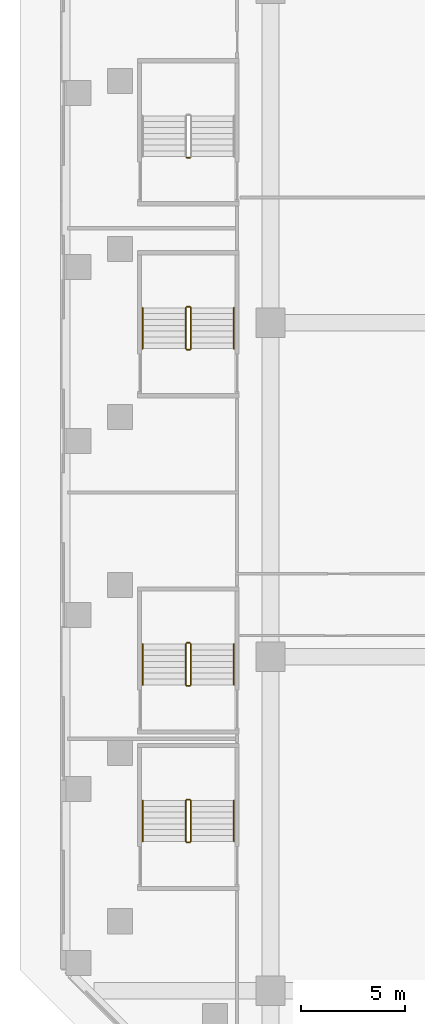
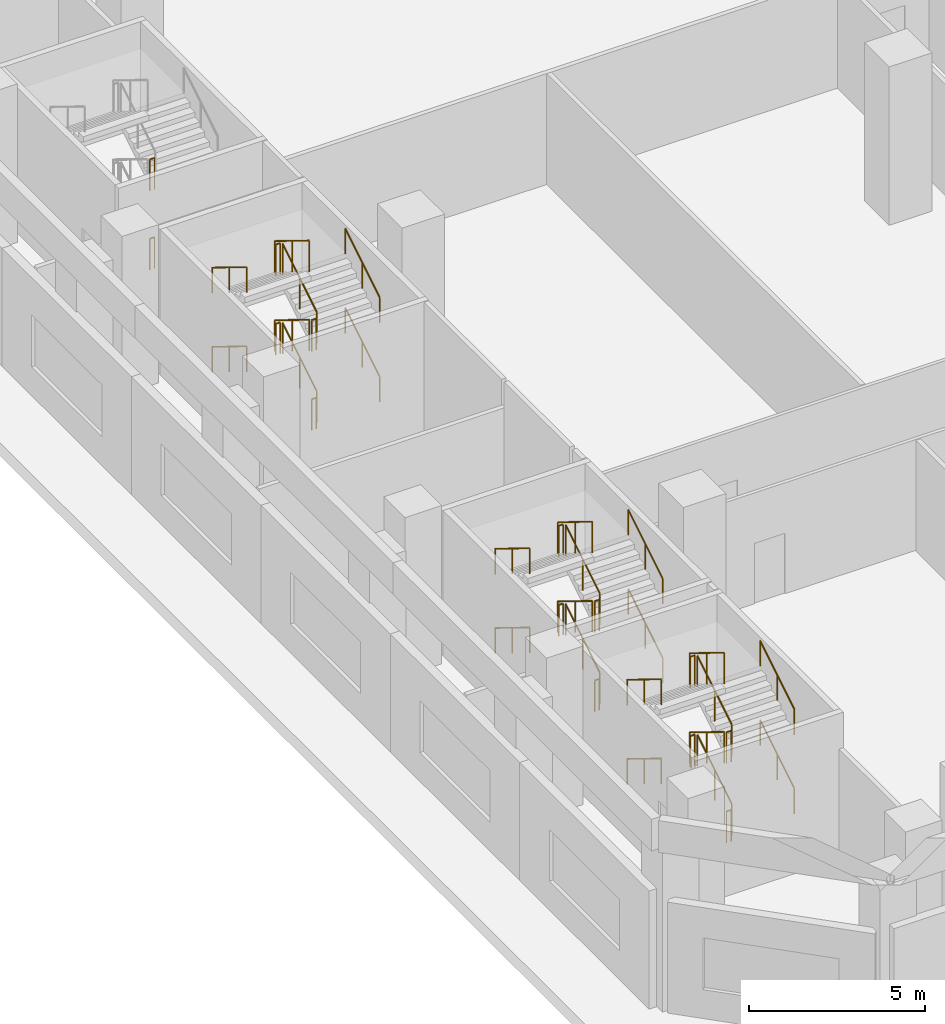
# One storey, part 18 of 22: 38 railings.
"""IFC4 building model written with IfcOpenShell, lengths in metres."""

from ifc_helpers import new_model, si_unit, direction, frame, origin, origin_2d, place, context, subcontext, project, spatial, circle, extrude, material, type_object, element, save


model = new_model("IFC4")

# Units and contexts
model_context = context("Model", 3, precision=1e-05, world=origin(), true_north=direction((0.0, 1.0)))
body_context = subcontext(model_context, "Body", "Model", "MODEL_VIEW")
ifc_project = project(units=[si_unit("LENGTHUNIT", "METRE"), si_unit("AREAUNIT", "SQUARE_METRE"), si_unit("VOLUMEUNIT", "CUBIC_METRE"), si_unit("PLANEANGLEUNIT", "RADIAN"), si_unit("MASSUNIT", "GRAM", prefix="KILO")], contexts=[model_context])

# Site, building, storey
site_placement = place(None, origin())
site = spatial("IfcSite", under=ifc_project, at=site_placement, CompositionType="ELEMENT")
building_placement = place(site_placement, origin())
building = spatial("IfcBuilding", under=site, at=building_placement, Name="Calabash Gate Tower", CompositionType="ELEMENT")
storey_placement = place(building_placement, frame((0.0, 0.0, 34.5)))
storey = spatial("IfcBuildingStorey", under=building, at=storey_placement, Name="L04", CompositionType="ELEMENT", Elevation=34.5)

# Railings
ifc_material_1 = material(Name="Black powder-coated steel balusters", Category="steel")
railing_type_1 = type_object("IfcRailingType", Name="Stair guard RL1100", PredefinedType="GUARDRAIL", material=ifc_material_1)
railing_1_placement = place(storey_placement, frame((-35.81005859375, -32.840087890625, 0.171875)))
element("IfcRailing", 1, at=railing_1_placement, inside=storey, type_object=railing_type_1, Name="L04 PS1 stair guard 1", PredefinedType="GUARDRAIL", context=body_context, shape_type="SweptSolid", body=[
    extrude(circle(Radius=0.02392578125, at=origin_2d()), frame((0.0, 0.0, 1.076171875), z_axis=(0.0, 0.851424364277, 0.524477408394), x_axis=(-1.0, 0.0, 0.0)), (0.0, 0.0, 1.0), 2.2939453125),
    extrude(circle(Radius=0.02099609375, at=origin_2d()), origin(), (0.0, 0.0, 1.0), 1.052001953125),
    extrude(circle(Radius=0.02099609375, at=origin_2d()), frame((0.0, 0.9765625, 0.6015625)), (0.0, 0.0, 1.0), 1.052001953125),
    extrude(circle(Radius=0.02099609375, at=origin_2d()), frame((0.0, 1.953125, 1.203125)), (0.0, 0.0, 1.0), 1.052001953125),
])
railing_2_placement = place(storey_placement, frame((-35.860107421875, -30.8369140625, 1.375)))
element("IfcRailing", 2, at=railing_2_placement, inside=storey, type_object=railing_type_1, Name="L04 PS1 stair guard 2", PredefinedType="GUARDRAIL", context=body_context, shape_type="SweptSolid", body=[
    extrude(circle(Radius=0.02392578125, at=origin_2d()), frame((0.0, 0.0, 1.076171875), z_axis=(-1.0, 0.0, 0.0), x_axis=(0.0, -1.0, 0.0)), (0.0, 0.0, 1.0), 0.14990234375),
    extrude(circle(Radius=0.02099609375, at=origin_2d()), origin(), (0.0, 0.0, 1.0), 1.052001953125),
    extrude(circle(Radius=0.02099609375, at=origin_2d()), frame((-0.14990234375, 0.0, 0.0)), (0.0, 0.0, 1.0), 1.052001953125),
])
railing_3_placement = place(storey_placement, frame((-36.06005859375, -30.886962890625, 1.546875)))
element("IfcRailing", 3, at=railing_3_placement, inside=storey, type_object=railing_type_1, Name="L04 PS1 stair guard 3", PredefinedType="GUARDRAIL", context=body_context, shape_type="SweptSolid", body=[
    extrude(circle(Radius=0.02392578125, at=origin_2d()), frame((0.0, 0.0, 1.076171875), z_axis=(0.0, -0.851424364277, 0.524477408394), x_axis=(1.0, 0.0, 0.0)), (0.0, 0.0, 1.0), 2.2939453125),
    extrude(circle(Radius=0.02099609375, at=origin_2d()), origin(), (0.0, 0.0, 1.0), 1.052001953125),
    extrude(circle(Radius=0.02099609375, at=origin_2d()), frame((0.0, -0.9765625, 0.6015625)), (0.0, 0.0, 1.0), 1.052001953125),
    extrude(circle(Radius=0.02099609375, at=origin_2d()), frame((0.0, -1.953125, 1.203125)), (0.0, 0.0, 1.0), 1.052001953125),
])
railing_4_placement = place(storey_placement, frame((-35.860107421875, -32.889892578125, 2.75)))
element("IfcRailing", 4, at=railing_4_placement, inside=storey, type_object=railing_type_1, Name="L04 PS1 stair guard 4", PredefinedType="GUARDRAIL", context=body_context, shape_type="SweptSolid", body=[
    extrude(circle(Radius=0.02392578125, at=origin_2d()), frame((0.0, 0.0, 1.076171875), z_axis=(-1.0, 0.0, 0.0), x_axis=(0.0, -1.0, 0.0)), (0.0, 0.0, 1.0), 0.14990234375),
    extrude(circle(Radius=0.02099609375, at=origin_2d()), origin(), (0.0, 0.0, 1.0), 1.052001953125),
    extrude(circle(Radius=0.02099609375, at=origin_2d()), frame((-0.14990234375, 0.0, 0.0)), (0.0, 0.0, 1.0), 1.052001953125),
])
railing_5_placement = place(storey_placement, frame((-35.81005859375, -32.840087890625, 2.921875)))
element("IfcRailing", 5, at=railing_5_placement, inside=storey, type_object=railing_type_1, Name="L04 PS1 stair guard 5", PredefinedType="GUARDRAIL", context=body_context, shape_type="SweptSolid", body=[
    extrude(circle(Radius=0.02392578125, at=origin_2d()), frame((0.0, 0.0, 1.076171875), z_axis=(0.0, 0.851424364277, 0.524477408394), x_axis=(-1.0, 0.0, 0.0)), (0.0, 0.0, 1.0), 2.2939453125),
    extrude(circle(Radius=0.02099609375, at=origin_2d()), origin(), (0.0, 0.0, 1.0), 1.052001953125),
    extrude(circle(Radius=0.02099609375, at=origin_2d()), frame((0.0, 0.9765625, 0.6015625)), (0.0, 0.0, 1.0), 1.052001953125),
    extrude(circle(Radius=0.02099609375, at=origin_2d()), frame((0.0, 1.953125, 1.203125)), (0.0, 0.0, 1.0), 1.052001953125),
])
railing_6_placement = place(storey_placement, frame((-35.860107421875, -30.8369140625, 4.125)))
element("IfcRailing", 6, at=railing_6_placement, inside=storey, type_object=railing_type_1, Name="L04 PS1 stair guard 6", PredefinedType="GUARDRAIL", context=body_context, shape_type="SweptSolid", body=[
    extrude(circle(Radius=0.02392578125, at=origin_2d()), frame((0.0, 0.0, 1.076171875), z_axis=(-1.0, 0.0, 0.0), x_axis=(0.0, -1.0, 0.0)), (0.0, 0.0, 1.0), 0.14990234375),
    extrude(circle(Radius=0.02099609375, at=origin_2d()), origin(), (0.0, 0.0, 1.0), 1.052001953125),
    extrude(circle(Radius=0.02099609375, at=origin_2d()), frame((-0.14990234375, 0.0, 0.0)), (0.0, 0.0, 1.0), 1.052001953125),
])
railing_7_placement = place(storey_placement, frame((-36.06005859375, -30.886962890625, 4.296875)))
element("IfcRailing", 7, at=railing_7_placement, inside=storey, type_object=railing_type_1, Name="L04 PS1 stair guard 7", PredefinedType="GUARDRAIL", context=body_context, shape_type="SweptSolid", body=[
    extrude(circle(Radius=0.02392578125, at=origin_2d()), frame((0.0, 0.0, 1.076171875), z_axis=(0.0, -0.851424364277, 0.524477408394), x_axis=(1.0, 0.0, 0.0)), (0.0, 0.0, 1.0), 2.2939453125),
    extrude(circle(Radius=0.02099609375, at=origin_2d()), origin(), (0.0, 0.0, 1.0), 1.052001953125),
    extrude(circle(Radius=0.02099609375, at=origin_2d()), frame((0.0, -0.9765625, 0.6015625)), (0.0, 0.0, 1.0), 1.052001953125),
    extrude(circle(Radius=0.02099609375, at=origin_2d()), frame((0.0, -1.953125, 1.203125)), (0.0, 0.0, 1.0), 1.052001953125),
])
railing_8_placement = place(storey_placement, frame((-35.860107421875, -32.889892578125, 0.0)))
element("IfcRailing", 8, at=railing_8_placement, inside=storey, type_object=railing_type_1, Name="L04 PS1 stair guard 8", PredefinedType="GUARDRAIL", context=body_context, shape_type="SweptSolid", body=[
    extrude(circle(Radius=0.02392578125, at=origin_2d()), frame((0.0, 0.0, 1.076171875), z_axis=(-1.0, 0.0, 0.0), x_axis=(0.0, -1.0, 0.0)), (0.0, 0.0, 1.0), 0.14990234375),
    extrude(circle(Radius=0.02099609375, at=origin_2d()), origin(), (0.0, 0.0, 1.0), 1.052001953125),
    extrude(circle(Radius=0.02099609375, at=origin_2d()), frame((-0.14990234375, 0.0, 0.0)), (0.0, 0.0, 1.0), 1.052001953125),
])
railing_9_placement = place(storey_placement, frame((-35.81005859375, -25.340087890625, 0.171875)))
element("IfcRailing", 9, at=railing_9_placement, inside=storey, type_object=railing_type_1, Name="L04 PS2 stair guard 1", PredefinedType="GUARDRAIL", context=body_context, shape_type="SweptSolid", body=[
    extrude(circle(Radius=0.02392578125, at=origin_2d()), frame((0.0, 0.0, 1.076171875), z_axis=(0.0, 0.851424364277, 0.524477408394), x_axis=(-1.0, 0.0, 0.0)), (0.0, 0.0, 1.0), 2.2939453125),
    extrude(circle(Radius=0.02099609375, at=origin_2d()), origin(), (0.0, 0.0, 1.0), 1.052001953125),
    extrude(circle(Radius=0.02099609375, at=origin_2d()), frame((0.0, 0.9765625, 0.6015625)), (0.0, 0.0, 1.0), 1.052001953125),
    extrude(circle(Radius=0.02099609375, at=origin_2d()), frame((0.0, 1.953125, 1.203125)), (0.0, 0.0, 1.0), 1.052001953125),
])
railing_10_placement = place(storey_placement, frame((-35.860107421875, -23.3369140625, 1.375)))
element("IfcRailing", 10, at=railing_10_placement, inside=storey, type_object=railing_type_1, Name="L04 PS2 stair guard 2", PredefinedType="GUARDRAIL", context=body_context, shape_type="SweptSolid", body=[
    extrude(circle(Radius=0.02392578125, at=origin_2d()), frame((0.0, 0.0, 1.076171875), z_axis=(-1.0, 0.0, 0.0), x_axis=(0.0, -1.0, 0.0)), (0.0, 0.0, 1.0), 0.14990234375),
    extrude(circle(Radius=0.02099609375, at=origin_2d()), origin(), (0.0, 0.0, 1.0), 1.052001953125),
    extrude(circle(Radius=0.02099609375, at=origin_2d()), frame((-0.14990234375, 0.0, 0.0)), (0.0, 0.0, 1.0), 1.052001953125),
])
railing_11_placement = place(storey_placement, frame((-36.06005859375, -23.386962890625, 1.546875)))
element("IfcRailing", 11, at=railing_11_placement, inside=storey, type_object=railing_type_1, Name="L04 PS2 stair guard 3", PredefinedType="GUARDRAIL", context=body_context, shape_type="SweptSolid", body=[
    extrude(circle(Radius=0.02392578125, at=origin_2d()), frame((0.0, 0.0, 1.076171875), z_axis=(0.0, -0.851424364277, 0.524477408394), x_axis=(1.0, 0.0, 0.0)), (0.0, 0.0, 1.0), 2.2939453125),
    extrude(circle(Radius=0.02099609375, at=origin_2d()), origin(), (0.0, 0.0, 1.0), 1.052001953125),
    extrude(circle(Radius=0.02099609375, at=origin_2d()), frame((0.0, -0.9765625, 0.6015625)), (0.0, 0.0, 1.0), 1.052001953125),
    extrude(circle(Radius=0.02099609375, at=origin_2d()), frame((0.0, -1.953125, 1.203125)), (0.0, 0.0, 1.0), 1.052001953125),
])
railing_12_placement = place(storey_placement, frame((-35.860107421875, -25.389892578125, 2.75)))
element("IfcRailing", 12, at=railing_12_placement, inside=storey, type_object=railing_type_1, Name="L04 PS2 stair guard 4", PredefinedType="GUARDRAIL", context=body_context, shape_type="SweptSolid", body=[
    extrude(circle(Radius=0.02392578125, at=origin_2d()), frame((0.0, 0.0, 1.076171875), z_axis=(-1.0, 0.0, 0.0), x_axis=(0.0, -1.0, 0.0)), (0.0, 0.0, 1.0), 0.14990234375),
    extrude(circle(Radius=0.02099609375, at=origin_2d()), origin(), (0.0, 0.0, 1.0), 1.052001953125),
    extrude(circle(Radius=0.02099609375, at=origin_2d()), frame((-0.14990234375, 0.0, 0.0)), (0.0, 0.0, 1.0), 1.052001953125),
])
railing_13_placement = place(storey_placement, frame((-35.81005859375, -25.340087890625, 2.921875)))
element("IfcRailing", 13, at=railing_13_placement, inside=storey, type_object=railing_type_1, Name="L04 PS2 stair guard 5", PredefinedType="GUARDRAIL", context=body_context, shape_type="SweptSolid", body=[
    extrude(circle(Radius=0.02392578125, at=origin_2d()), frame((0.0, 0.0, 1.076171875), z_axis=(0.0, 0.851424364277, 0.524477408394), x_axis=(-1.0, 0.0, 0.0)), (0.0, 0.0, 1.0), 2.2939453125),
    extrude(circle(Radius=0.02099609375, at=origin_2d()), origin(), (0.0, 0.0, 1.0), 1.052001953125),
    extrude(circle(Radius=0.02099609375, at=origin_2d()), frame((0.0, 0.9765625, 0.6015625)), (0.0, 0.0, 1.0), 1.052001953125),
    extrude(circle(Radius=0.02099609375, at=origin_2d()), frame((0.0, 1.953125, 1.203125)), (0.0, 0.0, 1.0), 1.052001953125),
])
railing_14_placement = place(storey_placement, frame((-35.860107421875, -23.3369140625, 4.125)))
element("IfcRailing", 14, at=railing_14_placement, inside=storey, type_object=railing_type_1, Name="L04 PS2 stair guard 6", PredefinedType="GUARDRAIL", context=body_context, shape_type="SweptSolid", body=[
    extrude(circle(Radius=0.02392578125, at=origin_2d()), frame((0.0, 0.0, 1.076171875), z_axis=(-1.0, 0.0, 0.0), x_axis=(0.0, -1.0, 0.0)), (0.0, 0.0, 1.0), 0.14990234375),
    extrude(circle(Radius=0.02099609375, at=origin_2d()), origin(), (0.0, 0.0, 1.0), 1.052001953125),
    extrude(circle(Radius=0.02099609375, at=origin_2d()), frame((-0.14990234375, 0.0, 0.0)), (0.0, 0.0, 1.0), 1.052001953125),
])
railing_15_placement = place(storey_placement, frame((-36.06005859375, -23.386962890625, 4.296875)))
element("IfcRailing", 15, at=railing_15_placement, inside=storey, type_object=railing_type_1, Name="L04 PS2 stair guard 7", PredefinedType="GUARDRAIL", context=body_context, shape_type="SweptSolid", body=[
    extrude(circle(Radius=0.02392578125, at=origin_2d()), frame((0.0, 0.0, 1.076171875), z_axis=(0.0, -0.851424364277, 0.524477408394), x_axis=(1.0, 0.0, 0.0)), (0.0, 0.0, 1.0), 2.2939453125),
    extrude(circle(Radius=0.02099609375, at=origin_2d()), origin(), (0.0, 0.0, 1.0), 1.052001953125),
    extrude(circle(Radius=0.02099609375, at=origin_2d()), frame((0.0, -0.9765625, 0.6015625)), (0.0, 0.0, 1.0), 1.052001953125),
    extrude(circle(Radius=0.02099609375, at=origin_2d()), frame((0.0, -1.953125, 1.203125)), (0.0, 0.0, 1.0), 1.052001953125),
])
railing_16_placement = place(storey_placement, frame((-35.860107421875, -25.389892578125, 0.0)))
element("IfcRailing", 16, at=railing_16_placement, inside=storey, type_object=railing_type_1, Name="L04 PS2 stair guard 8", PredefinedType="GUARDRAIL", context=body_context, shape_type="SweptSolid", body=[
    extrude(circle(Radius=0.02392578125, at=origin_2d()), frame((0.0, 0.0, 1.076171875), z_axis=(-1.0, 0.0, 0.0), x_axis=(0.0, -1.0, 0.0)), (0.0, 0.0, 1.0), 0.14990234375),
    extrude(circle(Radius=0.02099609375, at=origin_2d()), origin(), (0.0, 0.0, 1.0), 1.052001953125),
    extrude(circle(Radius=0.02099609375, at=origin_2d()), frame((-0.14990234375, 0.0, 0.0)), (0.0, 0.0, 1.0), 1.052001953125),
])
railing_17_placement = place(storey_placement, frame((-35.81005859375, -9.239990234375, 0.171875)))
element("IfcRailing", 17, at=railing_17_placement, inside=storey, type_object=railing_type_1, Name="L04 PS3 stair guard 1", PredefinedType="GUARDRAIL", context=body_context, shape_type="SweptSolid", body=[
    extrude(circle(Radius=0.02392578125, at=origin_2d()), frame((0.0, 0.0, 1.076171875), z_axis=(0.0, 0.851395084437, 0.52452493763), x_axis=(-1.0, 0.0, 0.0)), (0.0, 0.0, 1.0), 2.293701171875),
    extrude(circle(Radius=0.02099609375, at=origin_2d()), origin(), (0.0, 0.0, 1.0), 1.052001953125),
    extrude(circle(Radius=0.02099609375, at=origin_2d()), frame((0.0, 0.9765625, 0.6015625)), (0.0, 0.0, 1.0), 1.052001953125),
    extrude(circle(Radius=0.02099609375, at=origin_2d()), frame((0.0, 1.952880859375, 1.203125)), (0.0, 0.0, 1.0), 1.052001953125),
])
railing_18_placement = place(storey_placement, frame((-35.860107421875, -7.237060546875, 1.375)))
element("IfcRailing", 18, at=railing_18_placement, inside=storey, type_object=railing_type_1, Name="L04 PS3 stair guard 2", PredefinedType="GUARDRAIL", context=body_context, shape_type="SweptSolid", body=[
    extrude(circle(Radius=0.02392578125, at=origin_2d()), frame((0.0, 0.0, 1.076171875), z_axis=(-1.0, 0.0, 0.0), x_axis=(0.0, -1.0, 0.0)), (0.0, 0.0, 1.0), 0.14990234375),
    extrude(circle(Radius=0.02099609375, at=origin_2d()), origin(), (0.0, 0.0, 1.0), 1.052001953125),
    extrude(circle(Radius=0.02099609375, at=origin_2d()), frame((-0.14990234375, 0.0, 0.0)), (0.0, 0.0, 1.0), 1.052001953125),
])
railing_19_placement = place(storey_placement, frame((-36.06005859375, -7.287109375, 1.546875)))
element("IfcRailing", 19, at=railing_19_placement, inside=storey, type_object=railing_type_1, Name="L04 PS3 stair guard 3", PredefinedType="GUARDRAIL", context=body_context, shape_type="SweptSolid", body=[
    extrude(circle(Radius=0.02392578125, at=origin_2d()), frame((0.0, 0.0, 1.076171875), z_axis=(0.0, -0.851395084437, 0.52452493763), x_axis=(1.0, 0.0, 0.0)), (0.0, 0.0, 1.0), 2.293701171875),
    extrude(circle(Radius=0.02099609375, at=origin_2d()), origin(), (0.0, 0.0, 1.0), 1.052001953125),
    extrude(circle(Radius=0.02099609375, at=origin_2d()), frame((0.0, -0.9765625, 0.6015625)), (0.0, 0.0, 1.0), 1.052001953125),
    extrude(circle(Radius=0.02099609375, at=origin_2d()), frame((0.0, -1.952880859375, 1.203125)), (0.0, 0.0, 1.0), 1.052001953125),
])
railing_20_placement = place(storey_placement, frame((-35.860107421875, -9.2900390625, 2.75)))
element("IfcRailing", 20, at=railing_20_placement, inside=storey, type_object=railing_type_1, Name="L04 PS3 stair guard 4", PredefinedType="GUARDRAIL", context=body_context, shape_type="SweptSolid", body=[
    extrude(circle(Radius=0.02392578125, at=origin_2d()), frame((0.0, 0.0, 1.076171875), z_axis=(-1.0, 0.0, 0.0), x_axis=(0.0, -1.0, 0.0)), (0.0, 0.0, 1.0), 0.14990234375),
    extrude(circle(Radius=0.02099609375, at=origin_2d()), origin(), (0.0, 0.0, 1.0), 1.052001953125),
    extrude(circle(Radius=0.02099609375, at=origin_2d()), frame((-0.14990234375, 0.0, 0.0)), (0.0, 0.0, 1.0), 1.052001953125),
])
railing_21_placement = place(storey_placement, frame((-35.81005859375, -9.239990234375, 2.921875)))
element("IfcRailing", 21, at=railing_21_placement, inside=storey, type_object=railing_type_1, Name="L04 PS3 stair guard 5", PredefinedType="GUARDRAIL", context=body_context, shape_type="SweptSolid", body=[
    extrude(circle(Radius=0.02392578125, at=origin_2d()), frame((0.0, 0.0, 1.076171875), z_axis=(0.0, 0.851395084437, 0.52452493763), x_axis=(-1.0, 0.0, 0.0)), (0.0, 0.0, 1.0), 2.293701171875),
    extrude(circle(Radius=0.02099609375, at=origin_2d()), origin(), (0.0, 0.0, 1.0), 1.052001953125),
    extrude(circle(Radius=0.02099609375, at=origin_2d()), frame((0.0, 0.9765625, 0.6015625)), (0.0, 0.0, 1.0), 1.052001953125),
    extrude(circle(Radius=0.02099609375, at=origin_2d()), frame((0.0, 1.952880859375, 1.203125)), (0.0, 0.0, 1.0), 1.052001953125),
])
railing_22_placement = place(storey_placement, frame((-35.860107421875, -7.237060546875, 4.125)))
element("IfcRailing", 22, at=railing_22_placement, inside=storey, type_object=railing_type_1, Name="L04 PS3 stair guard 6", PredefinedType="GUARDRAIL", context=body_context, shape_type="SweptSolid", body=[
    extrude(circle(Radius=0.02392578125, at=origin_2d()), frame((0.0, 0.0, 1.076171875), z_axis=(-1.0, 0.0, 0.0), x_axis=(0.0, -1.0, 0.0)), (0.0, 0.0, 1.0), 0.14990234375),
    extrude(circle(Radius=0.02099609375, at=origin_2d()), origin(), (0.0, 0.0, 1.0), 1.052001953125),
    extrude(circle(Radius=0.02099609375, at=origin_2d()), frame((-0.14990234375, 0.0, 0.0)), (0.0, 0.0, 1.0), 1.052001953125),
])
railing_23_placement = place(storey_placement, frame((-36.06005859375, -7.287109375, 4.296875)))
element("IfcRailing", 23, at=railing_23_placement, inside=storey, type_object=railing_type_1, Name="L04 PS3 stair guard 7", PredefinedType="GUARDRAIL", context=body_context, shape_type="SweptSolid", body=[
    extrude(circle(Radius=0.02392578125, at=origin_2d()), frame((0.0, 0.0, 1.076171875), z_axis=(0.0, -0.851395084437, 0.52452493763), x_axis=(1.0, 0.0, 0.0)), (0.0, 0.0, 1.0), 2.293701171875),
    extrude(circle(Radius=0.02099609375, at=origin_2d()), origin(), (0.0, 0.0, 1.0), 1.052001953125),
    extrude(circle(Radius=0.02099609375, at=origin_2d()), frame((0.0, -0.9765625, 0.6015625)), (0.0, 0.0, 1.0), 1.052001953125),
    extrude(circle(Radius=0.02099609375, at=origin_2d()), frame((0.0, -1.952880859375, 1.203125)), (0.0, 0.0, 1.0), 1.052001953125),
])
for number, where, name in (
    (24, (-35.860107421875, -9.2900390625, 0.0), "L04 PS3 stair guard 8"),
    (25, (-35.860107421875, -0.090087890625, 2.75), "L04 PS4 stair guard 4"),
    (26, (-35.860107421875, -0.090087890625, 0.0), "L04 PS4 stair guard 8"),
):
    element("IfcRailing", number, at=place(storey_placement, frame(where)), inside=storey, type_object=railing_type_1, Name=name, PredefinedType="GUARDRAIL", context=body_context, shape_type="SweptSolid", body=[
        extrude(circle(Radius=0.02392578125, at=origin_2d()), frame((0.0, 0.0, 1.076171875), z_axis=(-1.0, 0.0, 0.0), x_axis=(0.0, -1.0, 0.0)), (0.0, 0.0, 1.0), 0.14990234375),
        extrude(circle(Radius=0.02099609375, at=origin_2d()), origin(), (0.0, 0.0, 1.0), 1.052001953125),
        extrude(circle(Radius=0.02099609375, at=origin_2d()), frame((-0.14990234375, 0.0, 0.0)), (0.0, 0.0, 1.0), 1.052001953125),
    ])
ifc_material_2 = material(Name="Black powder-coated steel tube 48 mm", Category="steel")
railing_type_2 = type_object("IfcRailingType", Name="Stair handrail RL900", PredefinedType="HANDRAIL", material=ifc_material_2)
railing_24_placement = place(storey_placement, frame((-33.75, -32.840087890625, 0.171875)))
element("IfcRailing", 27, at=railing_24_placement, inside=storey, type_object=railing_type_2, Name="L04 PS1 stair handrail 1", PredefinedType="HANDRAIL", context=body_context, shape_type="SweptSolid", body=[
    extrude(circle(Radius=0.02392578125, at=origin_2d()), frame((0.0, 0.0, 0.8759765625), z_axis=(0.0, 0.851424364277, 0.524477408394), x_axis=(-1.0, 0.0, 0.0)), (0.0, 0.0, 1.0), 2.2939453125),
    extrude(circle(Radius=0.02099609375, at=origin_2d()), origin(), (0.0, 0.0, 1.0), 0.851806640625),
    extrude(circle(Radius=0.02099609375, at=origin_2d()), frame((0.0, 0.9765625, 0.6015625)), (0.0, 0.0, 1.0), 0.851806640625),
    extrude(circle(Radius=0.02099609375, at=origin_2d()), frame((0.0, 1.953125, 1.203125)), (0.0, 0.0, 1.0), 0.851806640625),
])
railing_25_placement = place(storey_placement, frame((-38.1201171875, -30.886962890625, 1.546875)))
element("IfcRailing", 28, at=railing_25_placement, inside=storey, type_object=railing_type_2, Name="L04 PS1 stair handrail 2", PredefinedType="HANDRAIL", context=body_context, shape_type="SweptSolid", body=[
    extrude(circle(Radius=0.02392578125, at=origin_2d()), frame((0.0, 0.0, 0.8759765625), z_axis=(0.0, -0.851424364277, 0.524477408394), x_axis=(1.0, 0.0, 0.0)), (0.0, 0.0, 1.0), 2.2939453125),
    extrude(circle(Radius=0.02099609375, at=origin_2d()), origin(), (0.0, 0.0, 1.0), 0.851806640625),
    extrude(circle(Radius=0.02099609375, at=origin_2d()), frame((0.0, -0.9765625, 0.6015625)), (0.0, 0.0, 1.0), 0.851806640625),
    extrude(circle(Radius=0.02099609375, at=origin_2d()), frame((0.0, -1.953125, 1.203125)), (0.0, 0.0, 1.0), 0.851806640625),
])
railing_26_placement = place(storey_placement, frame((-33.75, -32.840087890625, 2.921875)))
element("IfcRailing", 29, at=railing_26_placement, inside=storey, type_object=railing_type_2, Name="L04 PS1 stair handrail 3", PredefinedType="HANDRAIL", context=body_context, shape_type="SweptSolid", body=[
    extrude(circle(Radius=0.02392578125, at=origin_2d()), frame((0.0, 0.0, 0.8759765625), z_axis=(0.0, 0.851424364277, 0.524477408394), x_axis=(-1.0, 0.0, 0.0)), (0.0, 0.0, 1.0), 2.2939453125),
    extrude(circle(Radius=0.02099609375, at=origin_2d()), origin(), (0.0, 0.0, 1.0), 0.851806640625),
    extrude(circle(Radius=0.02099609375, at=origin_2d()), frame((0.0, 0.9765625, 0.6015625)), (0.0, 0.0, 1.0), 0.851806640625),
    extrude(circle(Radius=0.02099609375, at=origin_2d()), frame((0.0, 1.953125, 1.203125)), (0.0, 0.0, 1.0), 0.851806640625),
])
railing_27_placement = place(storey_placement, frame((-38.1201171875, -30.886962890625, 4.296875)))
element("IfcRailing", 30, at=railing_27_placement, inside=storey, type_object=railing_type_2, Name="L04 PS1 stair handrail 4", PredefinedType="HANDRAIL", context=body_context, shape_type="SweptSolid", body=[
    extrude(circle(Radius=0.02392578125, at=origin_2d()), frame((0.0, 0.0, 0.8759765625), z_axis=(0.0, -0.851424364277, 0.524477408394), x_axis=(1.0, 0.0, 0.0)), (0.0, 0.0, 1.0), 2.2939453125),
    extrude(circle(Radius=0.02099609375, at=origin_2d()), origin(), (0.0, 0.0, 1.0), 0.851806640625),
    extrude(circle(Radius=0.02099609375, at=origin_2d()), frame((0.0, -0.9765625, 0.6015625)), (0.0, 0.0, 1.0), 0.851806640625),
    extrude(circle(Radius=0.02099609375, at=origin_2d()), frame((0.0, -1.953125, 1.203125)), (0.0, 0.0, 1.0), 0.851806640625),
])
railing_28_placement = place(storey_placement, frame((-33.75, -25.340087890625, 0.171875)))
element("IfcRailing", 31, at=railing_28_placement, inside=storey, type_object=railing_type_2, Name="L04 PS2 stair handrail 1", PredefinedType="HANDRAIL", context=body_context, shape_type="SweptSolid", body=[
    extrude(circle(Radius=0.02392578125, at=origin_2d()), frame((0.0, 0.0, 0.8759765625), z_axis=(0.0, 0.851424364277, 0.524477408394), x_axis=(-1.0, 0.0, 0.0)), (0.0, 0.0, 1.0), 2.2939453125),
    extrude(circle(Radius=0.02099609375, at=origin_2d()), origin(), (0.0, 0.0, 1.0), 0.851806640625),
    extrude(circle(Radius=0.02099609375, at=origin_2d()), frame((0.0, 0.9765625, 0.6015625)), (0.0, 0.0, 1.0), 0.851806640625),
    extrude(circle(Radius=0.02099609375, at=origin_2d()), frame((0.0, 1.953125, 1.203125)), (0.0, 0.0, 1.0), 0.851806640625),
])
railing_29_placement = place(storey_placement, frame((-38.1201171875, -23.386962890625, 1.546875)))
element("IfcRailing", 32, at=railing_29_placement, inside=storey, type_object=railing_type_2, Name="L04 PS2 stair handrail 2", PredefinedType="HANDRAIL", context=body_context, shape_type="SweptSolid", body=[
    extrude(circle(Radius=0.02392578125, at=origin_2d()), frame((0.0, 0.0, 0.8759765625), z_axis=(0.0, -0.851424364277, 0.524477408394), x_axis=(1.0, 0.0, 0.0)), (0.0, 0.0, 1.0), 2.2939453125),
    extrude(circle(Radius=0.02099609375, at=origin_2d()), origin(), (0.0, 0.0, 1.0), 0.851806640625),
    extrude(circle(Radius=0.02099609375, at=origin_2d()), frame((0.0, -0.9765625, 0.6015625)), (0.0, 0.0, 1.0), 0.851806640625),
    extrude(circle(Radius=0.02099609375, at=origin_2d()), frame((0.0, -1.953125, 1.203125)), (0.0, 0.0, 1.0), 0.851806640625),
])
railing_30_placement = place(storey_placement, frame((-33.75, -25.340087890625, 2.921875)))
element("IfcRailing", 33, at=railing_30_placement, inside=storey, type_object=railing_type_2, Name="L04 PS2 stair handrail 3", PredefinedType="HANDRAIL", context=body_context, shape_type="SweptSolid", body=[
    extrude(circle(Radius=0.02392578125, at=origin_2d()), frame((0.0, 0.0, 0.8759765625), z_axis=(0.0, 0.851424364277, 0.524477408394), x_axis=(-1.0, 0.0, 0.0)), (0.0, 0.0, 1.0), 2.2939453125),
    extrude(circle(Radius=0.02099609375, at=origin_2d()), origin(), (0.0, 0.0, 1.0), 0.851806640625),
    extrude(circle(Radius=0.02099609375, at=origin_2d()), frame((0.0, 0.9765625, 0.6015625)), (0.0, 0.0, 1.0), 0.851806640625),
    extrude(circle(Radius=0.02099609375, at=origin_2d()), frame((0.0, 1.953125, 1.203125)), (0.0, 0.0, 1.0), 0.851806640625),
])
railing_31_placement = place(storey_placement, frame((-38.1201171875, -23.386962890625, 4.296875)))
element("IfcRailing", 34, at=railing_31_placement, inside=storey, type_object=railing_type_2, Name="L04 PS2 stair handrail 4", PredefinedType="HANDRAIL", context=body_context, shape_type="SweptSolid", body=[
    extrude(circle(Radius=0.02392578125, at=origin_2d()), frame((0.0, 0.0, 0.8759765625), z_axis=(0.0, -0.851424364277, 0.524477408394), x_axis=(1.0, 0.0, 0.0)), (0.0, 0.0, 1.0), 2.2939453125),
    extrude(circle(Radius=0.02099609375, at=origin_2d()), origin(), (0.0, 0.0, 1.0), 0.851806640625),
    extrude(circle(Radius=0.02099609375, at=origin_2d()), frame((0.0, -0.9765625, 0.6015625)), (0.0, 0.0, 1.0), 0.851806640625),
    extrude(circle(Radius=0.02099609375, at=origin_2d()), frame((0.0, -1.953125, 1.203125)), (0.0, 0.0, 1.0), 0.851806640625),
])
railing_32_placement = place(storey_placement, frame((-33.75, -9.239990234375, 0.171875)))
element("IfcRailing", 35, at=railing_32_placement, inside=storey, type_object=railing_type_2, Name="L04 PS3 stair handrail 1", PredefinedType="HANDRAIL", context=body_context, shape_type="SweptSolid", body=[
    extrude(circle(Radius=0.02392578125, at=origin_2d()), frame((0.0, 0.0, 0.8759765625), z_axis=(0.0, 0.851395084437, 0.52452493763), x_axis=(-1.0, 0.0, 0.0)), (0.0, 0.0, 1.0), 2.293701171875),
    extrude(circle(Radius=0.02099609375, at=origin_2d()), origin(), (0.0, 0.0, 1.0), 0.851806640625),
    extrude(circle(Radius=0.02099609375, at=origin_2d()), frame((0.0, 0.9765625, 0.6015625)), (0.0, 0.0, 1.0), 0.851806640625),
    extrude(circle(Radius=0.02099609375, at=origin_2d()), frame((0.0, 1.952880859375, 1.203125)), (0.0, 0.0, 1.0), 0.851806640625),
])
railing_33_placement = place(storey_placement, frame((-38.1201171875, -7.287109375, 1.546875)))
element("IfcRailing", 36, at=railing_33_placement, inside=storey, type_object=railing_type_2, Name="L04 PS3 stair handrail 2", PredefinedType="HANDRAIL", context=body_context, shape_type="SweptSolid", body=[
    extrude(circle(Radius=0.02392578125, at=origin_2d()), frame((0.0, 0.0, 0.8759765625), z_axis=(0.0, -0.851395084437, 0.52452493763), x_axis=(1.0, 0.0, 0.0)), (0.0, 0.0, 1.0), 2.293701171875),
    extrude(circle(Radius=0.02099609375, at=origin_2d()), origin(), (0.0, 0.0, 1.0), 0.851806640625),
    extrude(circle(Radius=0.02099609375, at=origin_2d()), frame((0.0, -0.9765625, 0.6015625)), (0.0, 0.0, 1.0), 0.851806640625),
    extrude(circle(Radius=0.02099609375, at=origin_2d()), frame((0.0, -1.952880859375, 1.203125)), (0.0, 0.0, 1.0), 0.851806640625),
])
railing_34_placement = place(storey_placement, frame((-33.75, -9.239990234375, 2.921875)))
element("IfcRailing", 37, at=railing_34_placement, inside=storey, type_object=railing_type_2, Name="L04 PS3 stair handrail 3", PredefinedType="HANDRAIL", context=body_context, shape_type="SweptSolid", body=[
    extrude(circle(Radius=0.02392578125, at=origin_2d()), frame((0.0, 0.0, 0.8759765625), z_axis=(0.0, 0.851395084437, 0.52452493763), x_axis=(-1.0, 0.0, 0.0)), (0.0, 0.0, 1.0), 2.293701171875),
    extrude(circle(Radius=0.02099609375, at=origin_2d()), origin(), (0.0, 0.0, 1.0), 0.851806640625),
    extrude(circle(Radius=0.02099609375, at=origin_2d()), frame((0.0, 0.9765625, 0.6015625)), (0.0, 0.0, 1.0), 0.851806640625),
    extrude(circle(Radius=0.02099609375, at=origin_2d()), frame((0.0, 1.952880859375, 1.203125)), (0.0, 0.0, 1.0), 0.851806640625),
])
railing_35_placement = place(storey_placement, frame((-38.1201171875, -7.287109375, 4.296875)))
element("IfcRailing", 38, at=railing_35_placement, inside=storey, type_object=railing_type_2, Name="L04 PS3 stair handrail 4", PredefinedType="HANDRAIL", context=body_context, shape_type="SweptSolid", body=[
    extrude(circle(Radius=0.02392578125, at=origin_2d()), frame((0.0, 0.0, 0.8759765625), z_axis=(0.0, -0.851395084437, 0.52452493763), x_axis=(1.0, 0.0, 0.0)), (0.0, 0.0, 1.0), 2.293701171875),
    extrude(circle(Radius=0.02099609375, at=origin_2d()), origin(), (0.0, 0.0, 1.0), 0.851806640625),
    extrude(circle(Radius=0.02099609375, at=origin_2d()), frame((0.0, -0.9765625, 0.6015625)), (0.0, 0.0, 1.0), 0.851806640625),
    extrude(circle(Radius=0.02099609375, at=origin_2d()), frame((0.0, -1.952880859375, 1.203125)), (0.0, 0.0, 1.0), 0.851806640625),
])

save(model, "model.ifc")
